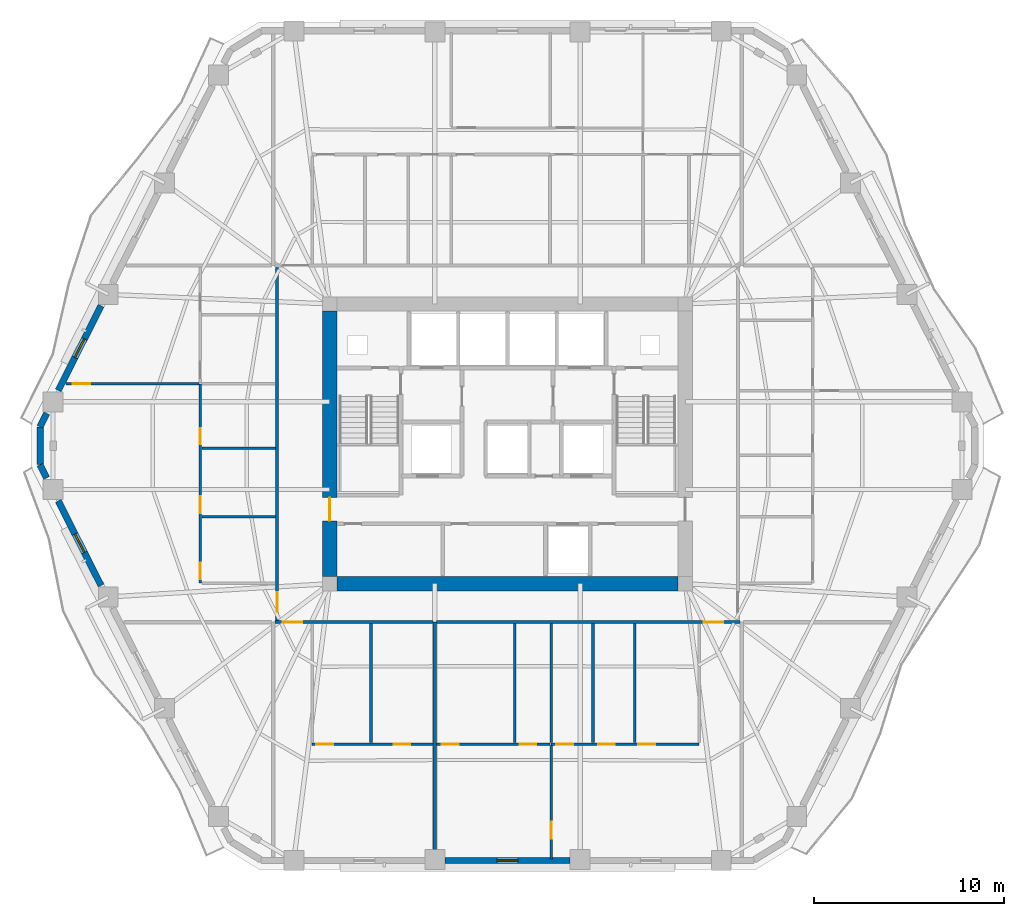
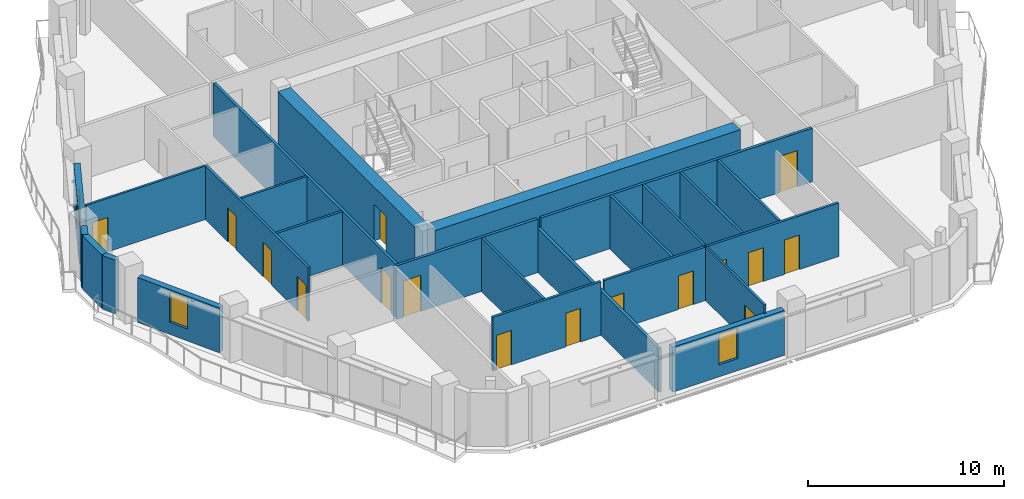
# One storey, part 4 of 12: 25 walls, 16 doors, 3 windows, 19 openings.
"""IFC4 building model written with IfcOpenShell, lengths in metres."""

from ifc_helpers import new_model, si_unit, direction, frame, frame_2d, origin, place, context, subcontext, project, spatial, rectangle, extrude, material, layer, layer_set, type_object, element, fill, save


model = new_model("IFC4")

# Units and contexts
model_context = context("Model", 3, precision=1e-05, world=origin(), true_north=direction((0.0, 1.0)))
body_context = subcontext(model_context, "Body", "Model", "MODEL_VIEW")
ifc_project = project(units=[si_unit("LENGTHUNIT", "METRE"), si_unit("AREAUNIT", "SQUARE_METRE"), si_unit("VOLUMEUNIT", "CUBIC_METRE"), si_unit("PLANEANGLEUNIT", "RADIAN"), si_unit("MASSUNIT", "GRAM", prefix="KILO")], contexts=[model_context])

# Site, building, storey
site_placement = place(None, origin())
site = spatial("IfcSite", under=ifc_project, at=site_placement, CompositionType="ELEMENT")
building_placement = place(site_placement, origin())
building = spatial("IfcBuilding", under=site, at=building_placement, Name="Cinnabar Lancet Tower", CompositionType="ELEMENT")
storey_placement = place(building_placement, frame((0.0, 0.0, 126.800048828125)))
storey = spatial("IfcBuildingStorey", under=building, at=storey_placement, Name="L33", CompositionType="ELEMENT", Elevation=126.800048828125)

# Wall, opening, door
ifc_material_1 = material(Name="Acoustic twin-stud gypsum partition", Category="gypsum")
ifc_layer_1 = layer(ifc_material_1, 0.159912109375)
ifc_layer_set_1 = layer_set([ifc_layer_1], Name="Acoustic twin-stud gypsum partition")
wall_type_1 = type_object("IfcWallType", Name="ARC-WL-CORR-160", PredefinedType="PARTITIONING", material=ifc_layer_set_1)
wall_1_placement = place(storey_placement, frame((20.14501953125, 16.5, 0.0), z_axis=(0.0, 0.0, 1.0), x_axis=(1.0, 0.0, 0.0)))
wall_1 = element("IfcWall", 1, at=wall_1_placement, inside=storey, type_object=wall_type_1, Name="L33 Unit S01 Corridor Wall", PredefinedType="PARTITIONING", context=body_context, shape_type="SweptSolid", body=[
    extrude(rectangle(XDim=8.327880859375, YDim=0.159912109375, at=frame_2d((4.1640625, 0.0))), origin(), (0.0, 0.0, 1.0), 3.33984375),
])
opening_1_placement = place(wall_1_placement, frame((0.405029296875, 0.0, 0.0)))
opening_1 = element("IfcOpeningElement", 2, at=opening_1_placement, cuts=wall_1, Name="Opening UD-01", PredefinedType="OPENING", context=body_context, shape_type="SweptSolid", body=[
    extrude(rectangle(XDim=1.02001953125, YDim=2.25, at=frame_2d((0.510009765625, 1.125))), frame((0.0, 0.08984375, 0.0), z_axis=(0.0, -1.0, 0.0), x_axis=(1.0, 0.0, 0.0)), (0.0, 0.0, 1.0), 0.179931640625),
])
ifc_material_2 = material(Name="Solid timber fire-rated apartment entrance door", Category="wood")
door_type_1 = type_object("IfcDoorType", Name="ARC-DR-UNIT", OperationType="NOTDEFINED", PredefinedType="DOOR", material=ifc_material_2)
door_1_placement = place(opening_1_placement, origin())
door_1 = element("IfcDoor", 3, at=door_1_placement, inside=storey, type_object=door_type_1, Name="DR-L33-S01-ENT", OperationType="SINGLE_SWING_RIGHT", OverallHeight=2.25, OverallWidth=1.02001953125, PredefinedType="DOOR", context=body_context, shape_type="SweptSolid", body=[
    extrude(rectangle(XDim=1.02001953125, YDim=2.25, at=frame_2d((0.510009765625, 1.125))), frame((0.0, 0.02490234375, 0.0), z_axis=(0.0, -1.0, 0.0), x_axis=(1.0, 0.0, 0.0)), (0.0, 0.0, 1.0), 0.050048828125),
])
fill(opening_1, door_1)

wall_2_placement = place(storey_placement, frame((28.6630859375, 16.5, 0.0), z_axis=(0.0, 0.0, 1.0), x_axis=(1.0, 0.0, 0.0)))
wall_2 = element("IfcWall", 4, at=wall_2_placement, inside=storey, type_object=wall_type_1, Name="L33 Unit S02 Corridor Wall", PredefinedType="PARTITIONING", context=body_context, shape_type="SweptSolid", body=[
    extrude(rectangle(XDim=15.991943359375, YDim=0.159912109375, at=frame_2d((7.99609375, 0.0))), origin(), (0.0, 0.0, 1.0), 3.33984375),
])
opening_2_placement = place(wall_2_placement, frame((14.0869140625, 0.0, 0.0)))
opening_2 = element("IfcOpeningElement", 5, at=opening_2_placement, cuts=wall_2, Name="Opening UD-01", PredefinedType="OPENING", context=body_context, shape_type="SweptSolid", body=[
    extrude(rectangle(XDim=1.02001953125, YDim=2.25, at=frame_2d((0.510009765625, 1.125))), frame((0.0, 0.08984375, 0.0), z_axis=(0.0, -1.0, 0.0), x_axis=(1.0, 0.0, 0.0)), (0.0, 0.0, 1.0), 0.179931640625),
])
door_2_placement = place(opening_2_placement, origin())
door_2 = element("IfcDoor", 6, at=door_2_placement, inside=storey, type_object=door_type_1, Name="DR-L33-S02-ENT", OperationType="SINGLE_SWING_LEFT", OverallHeight=2.25, OverallWidth=1.02001953125, PredefinedType="DOOR", context=body_context, shape_type="SweptSolid", body=[
    extrude(rectangle(XDim=1.02001953125, YDim=2.25, at=frame_2d((0.510009765625, 1.125))), frame((0.0, 0.02490234375, 0.0), z_axis=(0.0, -1.0, 0.0), x_axis=(1.0, 0.0, 0.0)), (0.0, 0.0, 1.0), 0.050048828125),
])
fill(opening_2, door_2)

wall_3_placement = place(storey_placement, frame((20.25, 16.594970703125, 0.0), z_axis=(0.0, 0.0, 1.0), x_axis=(0.0, 1.0, 0.0)))
wall_3 = element("IfcWall", 7, at=wall_3_placement, inside=storey, type_object=wall_type_1, Name="UW-L33-W01-COR", PredefinedType="PARTITIONING", context=body_context, shape_type="SweptSolid", body=[
    extrude(rectangle(XDim=18.610107421875, YDim=0.159912109375, at=frame_2d((9.30517578125, 0.0))), origin(), (0.0, 0.0, 1.0), 3.33984375),
])
opening_3_placement = place(wall_3_placement, frame((0.449951171875, 0.0, 0.0)))
opening_3 = element("IfcOpeningElement", 8, at=opening_3_placement, cuts=wall_3, Name="Opening UD-01", PredefinedType="OPENING", context=body_context, shape_type="SweptSolid", body=[
    extrude(rectangle(XDim=1.02001953125, YDim=2.25, at=frame_2d((0.510009765625, 1.125))), frame((0.0, 0.08984375, 0.0), z_axis=(0.0, -1.0, 0.0), x_axis=(1.0, 0.0, 0.0)), (0.0, 0.0, 1.0), 0.179931640625),
])
door_3_placement = place(opening_3_placement, origin())
door_3 = element("IfcDoor", 9, at=door_3_placement, inside=storey, type_object=door_type_1, Name="DR-L33-W01-ENT", OperationType="SINGLE_SWING_RIGHT", OverallHeight=2.25, OverallWidth=1.02001953125, PredefinedType="DOOR", context=body_context, shape_type="SweptSolid", body=[
    extrude(rectangle(XDim=1.02001953125, YDim=2.25, at=frame_2d((0.510009765625, 1.125))), frame((0.0, 0.02490234375, 0.0), z_axis=(0.0, -1.0, 0.0), x_axis=(1.0, 0.0, 0.0)), (0.0, 0.0, 1.0), 0.050048828125),
])
fill(opening_3, door_3)

# Wall
ifc_material_3 = material(Name="Fire-rated twin-frame acoustic drywall", Category="gypsum")
ifc_layer_2 = layer(ifc_material_3, 0.179931640625)
ifc_layer_set_2 = layer_set([ifc_layer_2], Name="Fire-rated twin-frame acoustic drywall")
wall_type_2 = type_object("IfcWallType", Name="ARC-WL-PARTY-180", PredefinedType="PARTITIONING", material=ifc_layer_set_2)
wall_4_placement = place(storey_placement, frame((28.568115234375, 4.10498046875, 0.0), z_axis=(0.0, 0.0, 1.0), x_axis=(0.0, 1.0, 0.0)))
element("IfcWall", 10, at=wall_4_placement, inside=storey, type_object=wall_type_2, Name="PW-L33-SPTY-286", PredefinedType="PARTITIONING", context=body_context, shape_type="SweptSolid", body=[
    extrude(rectangle(XDim=12.39501953125, YDim=0.179931640625, at=frame_2d((6.197509765625, 0.0))), origin(), (0.0, 0.0, 1.0), 2.721923828125),
])

# Wall, opening, door
ifc_material_4 = material(Name="Gypsum plasterboard stud partition", Category="gypsum")
ifc_layer_3 = layer(ifc_material_4, 0.125)
ifc_layer_set_3 = layer_set([ifc_layer_3], Name="Gypsum plasterboard stud partition")
wall_type_3 = type_object("IfcWallType", Name="ARC-WL-UNIT-125", PredefinedType="PARTITIONING", material=ifc_layer_set_3)
wall_5_placement = place(storey_placement, frame((34.701904296875, 4.014892578125, 0.0), z_axis=(0.0, 0.0, 1.0), x_axis=(0.0, 1.0, 0.0)))
wall_5 = element("IfcWall", 11, at=wall_5_placement, inside=storey, type_object=wall_type_3, Name="UW-L33-S02-MBW", PredefinedType="PARTITIONING", context=body_context, shape_type="SweptSolid", body=[
    extrude(rectangle(XDim=5.965087890625, YDim=0.125, at=frame_2d((2.982421875, 0.0))), origin(), (0.0, 0.0, 1.0), 3.33984375),
])
opening_4_placement = place(wall_5_placement, frame((1.050048828125, 0.0, 0.0)))
opening_4 = element("IfcOpeningElement", 12, at=opening_4_placement, cuts=wall_5, Name="Opening RD-01", PredefinedType="OPENING", context=body_context, shape_type="SweptSolid", body=[
    extrude(rectangle(XDim=0.919921875, YDim=2.14990234375, at=frame_2d((0.4599609375, 1.074951171875))), frame((0.0, 0.072509765625, 0.0), z_axis=(0.0, -1.0, 0.0), x_axis=(1.0, 0.0, 0.0)), (0.0, 0.0, 1.0), 0.14501953125),
])
ifc_material_5 = material(Name="Engineered timber bedroom door", Category="wood")
door_type_2 = type_object("IfcDoorType", Name="ARC-DR-ROOM", OperationType="NOTDEFINED", PredefinedType="DOOR", material=ifc_material_5)
door_4_placement = place(opening_4_placement, origin())
door_4 = element("IfcDoor", 13, at=door_4_placement, inside=storey, type_object=door_type_2, Name="DR-L33-S02-MBD", OperationType="SINGLE_SWING_RIGHT", OverallHeight=2.14990234375, OverallWidth=0.919921875, PredefinedType="DOOR", context=body_context, shape_type="SweptSolid", body=[
    extrude(rectangle(XDim=0.919921875, YDim=2.14990234375, at=frame_2d((0.4599609375, 1.074951171875))), frame((0.0, 0.02490234375, 0.0), z_axis=(0.0, -1.0, 0.0), x_axis=(1.0, 0.0, 0.0)), (0.0, 0.0, 1.0), 0.050048828125),
])
fill(opening_4, door_4)

wall_6_placement = place(storey_placement, frame((9.115966796875, 29.06396484375, 0.0), z_axis=(0.0, 0.0, 1.0), x_axis=(1.0, 0.0, 0.0)))
wall_6 = element("IfcWall", 14, at=wall_6_placement, inside=storey, type_object=wall_type_3, Name="UW-L33-W01-MBN", PredefinedType="PARTITIONING", context=body_context, shape_type="SweptSolid", body=[
    extrude(rectangle(XDim=7.009033203125, YDim=0.125, at=frame_2d((3.50439453125, 0.0))), origin(), (0.0, 0.0, 1.0), 3.33984375),
])
opening_5_placement = place(wall_6_placement, frame((0.35009765625, 0.0, 0.0)))
opening_5 = element("IfcOpeningElement", 15, at=opening_5_placement, cuts=wall_6, Name="Opening RD-01", PredefinedType="OPENING", context=body_context, shape_type="SweptSolid", body=[
    extrude(rectangle(XDim=0.919921875, YDim=2.14990234375, at=frame_2d((0.4599609375, 1.074951171875))), frame((0.0, 0.072509765625, 0.0), z_axis=(0.0, -1.0, 0.0), x_axis=(1.0, 0.0, 0.0)), (0.0, 0.0, 1.0), 0.14501953125),
])
door_5_placement = place(opening_5_placement, origin())
door_5 = element("IfcDoor", 16, at=door_5_placement, inside=storey, type_object=door_type_2, Name="DR-L33-W01-MBD", OperationType="SINGLE_SWING_RIGHT", OverallHeight=2.14990234375, OverallWidth=0.919921875, PredefinedType="DOOR", context=body_context, shape_type="SweptSolid", body=[
    extrude(rectangle(XDim=0.919921875, YDim=2.14990234375, at=frame_2d((0.4599609375, 1.074951171875))), frame((0.0, 0.02490234375, 0.0), z_axis=(0.0, -1.0, 0.0), x_axis=(1.0, 0.0, 0.0)), (0.0, 0.0, 1.0), 0.050048828125),
])
fill(opening_5, door_5)

# Wall
wall_7_placement = place(storey_placement, frame((16.284912109375, 25.6640625, 0.0), z_axis=(0.0, 0.0, 1.0), x_axis=(1.0, 0.0, 0.0)))
element("IfcWall", 17, at=wall_7_placement, inside=storey, type_object=wall_type_3, Name="UW-L33-W01-UDV", PredefinedType="PARTITIONING", context=body_context, shape_type="SweptSolid", body=[
    extrude(rectangle(XDim=3.880126953125, YDim=0.125, at=frame_2d((1.93994140625, 0.0))), origin(), (0.0, 0.0, 1.0), 3.33984375),
])

# Wall, openings, doors
ifc_material_6 = material(Name="Moisture-resistant cement-board plumbing wall", Category="masonry")
ifc_layer_4 = layer(ifc_material_6, 0.139892578125)
ifc_layer_set_4 = layer_set([ifc_layer_4], Name="Moisture-resistant cement-board plumbing wall")
wall_type_4 = type_object("IfcWallType", Name="ARC-WL-WET-140", PredefinedType="PLUMBINGWALL", material=ifc_layer_set_4)
wall_8_placement = place(storey_placement, frame((22.10009765625, 10.054931640625, 0.0), z_axis=(0.0, 0.0, 1.0), x_axis=(1.0, 0.0, 0.0)))
wall_8 = element("IfcWall", 18, at=wall_8_placement, inside=storey, type_object=wall_type_4, Name="UW-L33-S01-SPL", PredefinedType="PLUMBINGWALL", context=body_context, shape_type="SweptSolid", body=[
    extrude(rectangle(XDim=6.372802734375, YDim=0.139892578125, at=frame_2d((3.1865234375, 0.0))), origin(), (0.0, 0.0, 1.0), 3.33984375),
])
opening_6_placement = place(wall_8_placement, frame((4.31396484375, 0.0, 0.0)))
opening_6 = element("IfcOpeningElement", 19, at=opening_6_placement, cuts=wall_8, Name="Opening BD-01", PredefinedType="OPENING", context=body_context, shape_type="SweptSolid", body=[
    extrude(rectangle(XDim=0.860107421875, YDim=2.10009765625, at=frame_2d((0.43017578125, 1.050048828125))), frame((0.0, 0.079833984375, 0.0), z_axis=(0.0, -1.0, 0.0), x_axis=(1.0, 0.0, 0.0)), (0.0, 0.0, 1.0), 0.159912109375),
])
opening_7_placement = place(wall_8_placement, frame((0.219970703125, 0.0, 0.0)))
opening_7 = element("IfcOpeningElement", 20, at=opening_7_placement, cuts=wall_8, Name="Opening RD-02", PredefinedType="OPENING", context=body_context, shape_type="SweptSolid", body=[
    extrude(rectangle(XDim=0.8798828125, YDim=2.14990234375, at=frame_2d((0.43994140625, 1.074951171875))), frame((0.0, 0.079833984375, 0.0), z_axis=(0.0, -1.0, 0.0), x_axis=(1.0, 0.0, 0.0)), (0.0, 0.0, 1.0), 0.159912109375),
])
ifc_material_7 = material(Name="Moisture-resistant timber bathroom door", Category="wood")
door_type_3 = type_object("IfcDoorType", Name="ARC-DR-BATH", OperationType="NOTDEFINED", PredefinedType="DOOR", material=ifc_material_7)
door_6_placement = place(opening_6_placement, origin())
door_6 = element("IfcDoor", 21, at=door_6_placement, inside=storey, type_object=door_type_3, Name="DR-L33-S01-BTH", OperationType="SINGLE_SWING_RIGHT", OverallHeight=2.10009765625, OverallWidth=0.860107421875, PredefinedType="DOOR", context=body_context, shape_type="SweptSolid", body=[
    extrude(rectangle(XDim=0.860107421875, YDim=2.10009765625, at=frame_2d((0.43017578125, 1.050048828125))), frame((0.0, 0.02490234375, 0.0), z_axis=(0.0, -1.0, 0.0), x_axis=(1.0, 0.0, 0.0)), (0.0, 0.0, 1.0), 0.050048828125),
])
fill(opening_6, door_6)
ifc_material_8 = material(Name="Engineered timber study door", Category="wood")
door_type_4 = type_object("IfcDoorType", Name="ARC-DR-STUDY", OperationType="NOTDEFINED", PredefinedType="DOOR", material=ifc_material_8)
door_7_placement = place(opening_7_placement, origin())
door_7 = element("IfcDoor", 22, at=door_7_placement, inside=storey, type_object=door_type_4, Name="DR-L33-S01-KIT", OperationType="SINGLE_SWING_LEFT", OverallHeight=2.14990234375, OverallWidth=0.8798828125, PredefinedType="DOOR", context=body_context, shape_type="SweptSolid", body=[
    extrude(rectangle(XDim=0.8798828125, YDim=2.14990234375, at=frame_2d((0.43994140625, 1.074951171875))), frame((0.0, 0.02490234375, 0.0), z_axis=(0.0, -1.0, 0.0), x_axis=(1.0, 0.0, 0.0)), (0.0, 0.0, 1.0), 0.050048828125),
])
fill(opening_7, door_7)

# Wall
wall_9_placement = place(storey_placement, frame((25.205078125, 10.159912109375, 0.0), z_axis=(0.0, 0.0, 1.0), x_axis=(0.0, 1.0, 0.0)))
element("IfcWall", 23, at=wall_9_placement, inside=storey, type_object=wall_type_4, Name="UW-L33-S01-KDV", PredefinedType="PLUMBINGWALL", context=body_context, shape_type="SweptSolid", body=[
    extrude(rectangle(XDim=6.255126953125, YDim=0.139892578125, at=frame_2d((3.12744140625, 0.0))), origin(), (0.0, 0.0, 1.0), 3.33984375),
])

# Wall, openings, doors
wall_10_placement = place(storey_placement, frame((34.701904296875, 10.054931640625, 0.0), z_axis=(0.0, 0.0, 1.0), x_axis=(1.0, 0.0, 0.0)))
wall_10 = element("IfcWall", 24, at=wall_10_placement, inside=storey, type_object=wall_type_4, Name="UW-L33-S02-SPL", PredefinedType="PLUMBINGWALL", context=body_context, shape_type="SweptSolid", body=[
    extrude(rectangle(XDim=7.798095703125, YDim=0.139892578125, at=frame_2d((3.89892578125, 0.0))), origin(), (0.0, 0.0, 1.0), 3.33984375),
])
opening_8_placement = place(wall_10_placement, frame((0.280029296875, 0.0, 0.0)))
opening_8 = element("IfcOpeningElement", 25, at=opening_8_placement, cuts=wall_10, Name="Opening RD-02", PredefinedType="OPENING", context=body_context, shape_type="SweptSolid", body=[
    extrude(rectangle(XDim=0.8798828125, YDim=2.14990234375, at=frame_2d((0.43994140625, 1.074951171875))), frame((0.0, 0.079833984375, 0.0), z_axis=(0.0, -1.0, 0.0), x_axis=(1.0, 0.0, 0.0)), (0.0, 0.0, 1.0), 0.159912109375),
])
opening_9_placement = place(wall_10_placement, frame((2.48193359375, 0.0, 0.0)))
opening_9 = element("IfcOpeningElement", 26, at=opening_9_placement, cuts=wall_10, Name="Opening BD-01", PredefinedType="OPENING", context=body_context, shape_type="SweptSolid", body=[
    extrude(rectangle(XDim=0.860107421875, YDim=2.10009765625, at=frame_2d((0.43017578125, 1.050048828125))), frame((0.0, 0.079833984375, 0.0), z_axis=(0.0, -1.0, 0.0), x_axis=(1.0, 0.0, 0.0)), (0.0, 0.0, 1.0), 0.159912109375),
])
opening_10_placement = place(wall_10_placement, frame((4.597900390625, 0.0, 0.0)))
opening_10 = element("IfcOpeningElement", 27, at=opening_10_placement, cuts=wall_10, Name="Opening RD-02", PredefinedType="OPENING", context=body_context, shape_type="SweptSolid", body=[
    extrude(rectangle(XDim=0.8798828125, YDim=2.14990234375, at=frame_2d((0.43994140625, 1.074951171875))), frame((0.0, 0.079833984375, 0.0), z_axis=(0.0, -1.0, 0.0), x_axis=(1.0, 0.0, 0.0)), (0.0, 0.0, 1.0), 0.159912109375),
])
door_8_placement = place(opening_9_placement, origin())
door_8 = element("IfcDoor", 28, at=door_8_placement, inside=storey, type_object=door_type_3, Name="DR-L33-S02-BTH", OperationType="SINGLE_SWING_LEFT", OverallHeight=2.10009765625, OverallWidth=0.860107421875, PredefinedType="DOOR", context=body_context, shape_type="SweptSolid", body=[
    extrude(rectangle(XDim=0.860107421875, YDim=2.10009765625, at=frame_2d((0.43017578125, 1.050048828125))), frame((0.0, 0.02490234375, 0.0), z_axis=(0.0, -1.0, 0.0), x_axis=(1.0, 0.0, 0.0)), (0.0, 0.0, 1.0), 0.050048828125),
])
fill(opening_9, door_8)
door_9_placement = place(opening_8_placement, origin())
door_9 = element("IfcDoor", 29, at=door_9_placement, inside=storey, type_object=door_type_4, Name="DR-L33-S02-BTH-WDR", OperationType="SINGLE_SWING_RIGHT", OverallHeight=2.14990234375, OverallWidth=0.8798828125, PredefinedType="DOOR", context=body_context, shape_type="SweptSolid", body=[
    extrude(rectangle(XDim=0.8798828125, YDim=2.14990234375, at=frame_2d((0.43994140625, 1.074951171875))), frame((0.0, 0.02490234375, 0.0), z_axis=(0.0, -1.0, 0.0), x_axis=(1.0, 0.0, 0.0)), (0.0, 0.0, 1.0), 0.050048828125),
])
fill(opening_8, door_9)
door_10_placement = place(opening_10_placement, origin())
door_10 = element("IfcDoor", 30, at=door_10_placement, inside=storey, type_object=door_type_4, Name="DR-L33-S02-KIT", OperationType="SINGLE_SWING_LEFT", OverallHeight=2.14990234375, OverallWidth=0.8798828125, PredefinedType="DOOR", context=body_context, shape_type="SweptSolid", body=[
    extrude(rectangle(XDim=0.8798828125, YDim=2.14990234375, at=frame_2d((0.43994140625, 1.074951171875))), frame((0.0, 0.02490234375, 0.0), z_axis=(0.0, -1.0, 0.0), x_axis=(1.0, 0.0, 0.0)), (0.0, 0.0, 1.0), 0.050048828125),
])
fill(opening_10, door_10)

wall_11_placement = place(storey_placement, frame((28.6630859375, 10.054931640625, 0.0), z_axis=(0.0, 0.0, 1.0), x_axis=(1.0, 0.0, 0.0)))
wall_11 = element("IfcWall", 31, at=wall_11_placement, inside=storey, type_object=wall_type_4, Name="UW-L33-S02-SPM", PredefinedType="PLUMBINGWALL", context=body_context, shape_type="SweptSolid", body=[
    extrude(rectangle(XDim=5.9638671875, YDim=0.139892578125, at=frame_2d((2.98193359375, 0.0))), origin(), (0.0, 0.0, 1.0), 3.33984375),
])
opening_11_placement = place(wall_11_placement, frame((0.280029296875, 0.0, 0.0)))
opening_11 = element("IfcOpeningElement", 32, at=opening_11_placement, cuts=wall_11, Name="Opening RD-02", PredefinedType="OPENING", context=body_context, shape_type="SweptSolid", body=[
    extrude(rectangle(XDim=0.8798828125, YDim=2.14990234375, at=frame_2d((0.43994140625, 1.074951171875))), frame((0.0, 0.079833984375, 0.0), z_axis=(0.0, -1.0, 0.0), x_axis=(1.0, 0.0, 0.0)), (0.0, 0.0, 1.0), 0.159912109375),
])
opening_12_placement = place(wall_11_placement, frame((4.39404296875, 0.0, 0.0)))
opening_12 = element("IfcOpeningElement", 33, at=opening_12_placement, cuts=wall_11, Name="Opening BD-01", PredefinedType="OPENING", context=body_context, shape_type="SweptSolid", body=[
    extrude(rectangle(XDim=0.860107421875, YDim=2.10009765625, at=frame_2d((0.43017578125, 1.050048828125))), frame((0.0, 0.079833984375, 0.0), z_axis=(0.0, -1.0, 0.0), x_axis=(1.0, 0.0, 0.0)), (0.0, 0.0, 1.0), 0.159912109375),
])
door_11_placement = place(opening_12_placement, origin())
door_11 = element("IfcDoor", 34, at=door_11_placement, inside=storey, type_object=door_type_3, Name="DR-L33-S02-ENS", OperationType="SINGLE_SWING_RIGHT", OverallHeight=2.10009765625, OverallWidth=0.860107421875, PredefinedType="DOOR", context=body_context, shape_type="SweptSolid", body=[
    extrude(rectangle(XDim=0.860107421875, YDim=2.10009765625, at=frame_2d((0.43017578125, 1.050048828125))), frame((0.0, 0.02490234375, 0.0), z_axis=(0.0, -1.0, 0.0), x_axis=(1.0, 0.0, 0.0)), (0.0, 0.0, 1.0), 0.050048828125),
])
fill(opening_12, door_11)
door_12_placement = place(opening_11_placement, origin())
door_12 = element("IfcDoor", 35, at=door_12_placement, inside=storey, type_object=door_type_4, Name="DR-L33-S02-ENS-WDR", OperationType="SINGLE_SWING_LEFT", OverallHeight=2.14990234375, OverallWidth=0.8798828125, PredefinedType="DOOR", context=body_context, shape_type="SweptSolid", body=[
    extrude(rectangle(XDim=0.8798828125, YDim=2.14990234375, at=frame_2d((0.43994140625, 1.074951171875))), frame((0.0, 0.02490234375, 0.0), z_axis=(0.0, -1.0, 0.0), x_axis=(1.0, 0.0, 0.0)), (0.0, 0.0, 1.0), 0.050048828125),
])
fill(opening_11, door_12)

# Walls
for number, where, z_axis, x_axis, name in (
    (36, (39.10009765625, 10.159912109375, 0.0), (0.0, 0.0, 1.0), (0.0, 1.0, 0.0), "UW-L33-S02-KBD"),
    (37, (34.701904296875, 10.159912109375, 0.0), (0.0, 0.0, 1.0), (0.0, 1.0, 0.0), "UW-L33-S02-ENSW"),
):
    element("IfcWall", number, at=place(storey_placement, frame(where, z_axis=z_axis, x_axis=x_axis)), inside=storey, type_object=wall_type_4, Name=name, PredefinedType="PLUMBINGWALL", context=body_context, shape_type="SweptSolid", body=[
        extrude(rectangle(XDim=6.255126953125, YDim=0.139892578125, at=frame_2d((3.12744140625, 0.0))), origin(), (0.0, 0.0, 1.0), 3.33984375),
    ])
for number, where, z_axis, x_axis, name in (
    (38, (36.904052734375, 10.139892578125, 0.0), (0.0, 0.0, 1.0), (0.0, 1.0, 0.0), "UW-L33-S02-BTH-WDV"),
    (39, (32.777099609375, 10.139892578125, 0.0), (0.0, 0.0, 1.0), (0.0, 1.0, 0.0), "UW-L33-S02-ENS-WDV"),
):
    element("IfcWall", number, at=place(storey_placement, frame(where, z_axis=z_axis, x_axis=x_axis)), inside=storey, type_object=wall_type_4, Name=name, PredefinedType="PLUMBINGWALL", context=body_context, shape_type="SweptSolid", body=[
        extrude(rectangle(XDim=6.275146484375, YDim=0.139892578125, at=frame_2d((3.1376953125, 0.0))), origin(), (0.0, 0.0, 1.0), 3.33984375),
    ])

# Wall, openings, doors
wall_12_placement = place(storey_placement, frame((16.199951171875, 18.550048828125, 0.0), z_axis=(0.0, 0.0, 1.0), x_axis=(0.0, 1.0, 0.0)))
wall_12 = element("IfcWall", 40, at=wall_12_placement, inside=storey, type_object=wall_type_4, Name="UW-L33-W01-SPL", PredefinedType="PLUMBINGWALL", context=body_context, shape_type="SweptSolid", body=[
    extrude(rectangle(XDim=10.513916015625, YDim=0.139892578125, at=frame_2d((5.2568359375, 0.0))), origin(), (0.0, 0.0, 1.0), 3.33984375),
])
opening_13_placement = place(wall_12_placement, frame((0.199951171875, 0.0, 0.0)))
opening_13 = element("IfcOpeningElement", 41, at=opening_13_placement, cuts=wall_12, Name="Opening RD-02", PredefinedType="OPENING", context=body_context, shape_type="SweptSolid", body=[
    extrude(rectangle(XDim=0.8798828125, YDim=2.14990234375, at=frame_2d((0.43994140625, 1.074951171875))), frame((0.0, 0.079833984375, 0.0), z_axis=(0.0, -1.0, 0.0), x_axis=(1.0, 0.0, 0.0)), (0.0, 0.0, 1.0), 0.159912109375),
])
opening_14_placement = place(wall_12_placement, frame((3.699951171875, 0.0, 0.0)))
opening_14 = element("IfcOpeningElement", 42, at=opening_14_placement, cuts=wall_12, Name="Opening RD-02", PredefinedType="OPENING", context=body_context, shape_type="SweptSolid", body=[
    extrude(rectangle(XDim=0.8798828125, YDim=2.14990234375, at=frame_2d((0.43994140625, 1.074951171875))), frame((0.0, 0.079833984375, 0.0), z_axis=(0.0, -1.0, 0.0), x_axis=(1.0, 0.0, 0.0)), (0.0, 0.0, 1.0), 0.159912109375),
])
opening_15_placement = place(wall_12_placement, frame((7.31396484375, 0.0, 0.0)))
opening_15 = element("IfcOpeningElement", 43, at=opening_15_placement, cuts=wall_12, Name="Opening BD-01", PredefinedType="OPENING", context=body_context, shape_type="SweptSolid", body=[
    extrude(rectangle(XDim=0.860107421875, YDim=2.10009765625, at=frame_2d((0.43017578125, 1.050048828125))), frame((0.0, 0.079833984375, 0.0), z_axis=(0.0, -1.0, 0.0), x_axis=(1.0, 0.0, 0.0)), (0.0, 0.0, 1.0), 0.159912109375),
])
door_13_placement = place(opening_15_placement, origin())
door_13 = element("IfcDoor", 44, at=door_13_placement, inside=storey, type_object=door_type_3, Name="DR-L33-W01-BTH", OperationType="SINGLE_SWING_LEFT", OverallHeight=2.10009765625, OverallWidth=0.860107421875, PredefinedType="DOOR", context=body_context, shape_type="SweptSolid", body=[
    extrude(rectangle(XDim=0.860107421875, YDim=2.10009765625, at=frame_2d((0.43017578125, 1.050048828125))), frame((0.0, 0.02490234375, 0.0), z_axis=(0.0, -1.0, 0.0), x_axis=(1.0, 0.0, 0.0)), (0.0, 0.0, 1.0), 0.050048828125),
])
fill(opening_15, door_13)
door_14_placement = place(opening_13_placement, origin())
door_14 = element("IfcDoor", 45, at=door_14_placement, inside=storey, type_object=door_type_4, Name="DR-L33-W01-KIT", OperationType="SINGLE_SWING_LEFT", OverallHeight=2.14990234375, OverallWidth=0.8798828125, PredefinedType="DOOR", context=body_context, shape_type="SweptSolid", body=[
    extrude(rectangle(XDim=0.8798828125, YDim=2.14990234375, at=frame_2d((0.43994140625, 1.074951171875))), frame((0.0, 0.02490234375, 0.0), z_axis=(0.0, -1.0, 0.0), x_axis=(1.0, 0.0, 0.0)), (0.0, 0.0, 1.0), 0.050048828125),
])
fill(opening_13, door_14)
door_15_placement = place(opening_14_placement, origin())
door_15 = element("IfcDoor", 46, at=door_15_placement, inside=storey, type_object=door_type_4, Name="DR-L33-W01-UTL", OperationType="SINGLE_SWING_RIGHT", OverallHeight=2.14990234375, OverallWidth=0.8798828125, PredefinedType="DOOR", context=body_context, shape_type="SweptSolid", body=[
    extrude(rectangle(XDim=0.8798828125, YDim=2.14990234375, at=frame_2d((0.43994140625, 1.074951171875))), frame((0.0, 0.02490234375, 0.0), z_axis=(0.0, -1.0, 0.0), x_axis=(1.0, 0.0, 0.0)), (0.0, 0.0, 1.0), 0.050048828125),
])
fill(opening_14, door_15)

# Walls
wall_13_placement = place(storey_placement, frame((16.284912109375, 22.050048828125, 0.0), z_axis=(0.0, 0.0, 1.0), x_axis=(1.0, 0.0, 0.0)))
element("IfcWall", 47, at=wall_13_placement, inside=storey, type_object=wall_type_4, Name="UW-L33-W01-KDV", PredefinedType="PLUMBINGWALL", context=body_context, shape_type="SweptSolid", body=[
    extrude(rectangle(XDim=3.880126953125, YDim=0.139892578125, at=frame_2d((1.93994140625, 0.0))), origin(), (0.0, 0.0, 1.0), 3.33984375),
])
ifc_material_9 = material(Name="Cinnabar red clay brick", Category="masonry")
ifc_layer_5 = layer(ifc_material_9, 0.340087890625)
ifc_layer_set_5 = layer_set([ifc_layer_5], Name="Cinnabar red clay brick")
wall_type_5 = type_object("IfcWallType", Name="ENV-WL-BRK-RED-340", PredefinedType="STANDARD", material=ifc_layer_set_5)
wall_14_placement = place(storey_placement, frame((7.76708984375, 26.797119140625, 0.0), z_axis=(0.0, 0.0, 1.0), x_axis=(0.0, -1.0, 0.0)))
element("IfcWall", 48, at=wall_14_placement, inside=storey, type_object=wall_type_5, Name="L33 Chamfered Corner Brick Pier 6.1", PredefinedType="STANDARD", context=body_context, shape_type="SweptSolid", body=[
    extrude(rectangle(XDim=1.994140625, YDim=0.340087890625, at=frame_2d((0.9970703125, 0.0))), origin(), (0.0, 0.0, 1.0), 3.33984375),
])

# Wall, opening, window
wall_15_placement = place(storey_placement, frame((29.096923828125, 3.929931640625, 0.0), z_axis=(0.0, 0.0, 1.0), x_axis=(1.0, 0.0, 0.0)))
wall_15 = element("IfcWall", 49, at=wall_15_placement, inside=storey, type_object=wall_type_5, Name="L33 Face 1 Masonry Bay Wall 3", PredefinedType="STANDARD", context=body_context, shape_type="SweptSolid", body=[
    extrude(rectangle(XDim=6.60595703125, YDim=0.340087890625, at=frame_2d((3.302978515625, 0.0))), origin(), (0.0, 0.0, 1.0), 2.796875),
])
opening_16_placement = place(wall_15_placement, frame((2.7529296875, 0.0, 0.75)))
opening_16 = element("IfcOpeningElement", 50, at=opening_16_placement, cuts=wall_15, Name="Opening WN-04", PredefinedType="OPENING", context=body_context, shape_type="SweptSolid", body=[
    extrude(rectangle(XDim=1.10009765625, YDim=1.89697265625, at=frame_2d((0.550048828125, 0.948486328125))), frame((0.0, 0.179931640625, 0.0), z_axis=(0.0, -1.0, 0.0), x_axis=(1.0, 0.0, 0.0)), (0.0, 0.0, 1.0), 0.360107421875),
])
ifc_material_10 = material(Name="Thermally broken bronze-anodized aluminium tall lancet window", Category="aluminium")
window_type = type_object("IfcWindowType", Name="ENV-WN-LANCET-1100", PartitioningType="SINGLE_PANEL", PredefinedType="WINDOW", material=ifc_material_10)
window_1_placement = place(opening_16_placement, origin())
window_1 = element("IfcWindow", 51, at=window_1_placement, inside=storey, type_object=window_type, Name="L33 Face 1 Gothic Lancet Window 3", OverallHeight=1.89697265625, OverallWidth=1.10009765625, PartitioningType="SINGLE_PANEL", PredefinedType="WINDOW", context=body_context, shape_type="SweptSolid", body=[
    extrude(rectangle(XDim=1.10009765625, YDim=1.89697265625, at=frame_2d((0.550048828125, 0.948486328125))), frame((0.0, 0.030029296875, 0.0), z_axis=(0.0, -1.0, 0.0), x_axis=(1.0, 0.0, 0.0)), (0.0, 0.0, 1.0), 0.06005859375),
])
fill(opening_16, window_1)

wall_16_placement = place(storey_placement, frame((10.968017578125, 33.172119140625, 0.0), z_axis=(0.0, 0.0, 1.0), x_axis=(-0.451470533039, -0.892286029139, 0.0)))
wall_16 = element("IfcWall", 52, at=wall_16_placement, inside=storey, type_object=wall_type_5, Name="L33 Face 5 Masonry Bay Wall 4", PredefinedType="STANDARD", context=body_context, shape_type="SweptSolid", body=[
    extrude(rectangle(XDim=4.9951171875, YDim=0.340087890625, at=frame_2d((2.49755859375, 0.0))), origin(), (0.0, 0.0, 1.0), 2.796875),
])
opening_17_placement = place(wall_16_placement, frame((1.947021484375, 0.0, 0.75)))
opening_17 = element("IfcOpeningElement", 53, at=opening_17_placement, cuts=wall_16, Name="Opening WN-04", PredefinedType="OPENING", context=body_context, shape_type="SweptSolid", body=[
    extrude(rectangle(XDim=1.10009765625, YDim=1.89697265625, at=frame_2d((0.550048828125, 0.948486328125))), frame((0.0, 0.179931640625, 0.0), z_axis=(0.0, -1.0, 0.0), x_axis=(1.0, 0.0, 0.0)), (0.0, 0.0, 1.0), 0.360107421875),
])
window_2_placement = place(opening_17_placement, origin())
window_2 = element("IfcWindow", 54, at=window_2_placement, inside=storey, type_object=window_type, Name="L33 Face 5 Gothic Lancet Window 4", OverallHeight=1.89697265625, OverallWidth=1.10009765625, PartitioningType="SINGLE_PANEL", PredefinedType="WINDOW", context=body_context, shape_type="SweptSolid", body=[
    extrude(rectangle(XDim=1.10009765625, YDim=1.89697265625, at=frame_2d((0.550048828125, 0.948486328125))), frame((0.0, 0.030029296875, 0.0), z_axis=(0.0, -1.0, 0.0), x_axis=(1.0, 0.0, 0.0)), (0.0, 0.0, 1.0), 0.06005859375),
])
fill(opening_17, window_2)

# Walls
for number, where, z_axis, x_axis, name in (
    (55, (8.10009765625, 27.5029296875, 0.0), (0.0, 0.0, 1.0), (-0.451819324107, -0.89210946546, 0.0), "L33 Face 5 Masonry Bay Wall 5"),
    (56, (7.74609375, 24.7958984375, 0.0), (0.0, 0.0, 1.0), (0.451819324107, -0.89210946546, 0.0), "L33 Face 6 Masonry Bay Wall 1"),
):
    element("IfcWall", number, at=place(storey_placement, frame(where, z_axis=z_axis, x_axis=x_axis)), inside=storey, type_object=wall_type_5, Name=name, PredefinedType="STANDARD", context=body_context, shape_type="SweptSolid", body=[
        extrude(rectangle(XDim=0.783447265625, YDim=0.340087890625, at=frame_2d((0.3916015625, 0.0))), origin(), (0.0, 0.0, 1.0), 3.33984375),
    ])

# Wall, opening, window
wall_17_placement = place(storey_placement, frame((8.712890625, 22.885009765625, 0.0), z_axis=(0.0, 0.0, 1.0), x_axis=(0.451470533039, -0.892286029139, 0.0)))
wall_17 = element("IfcWall", 57, at=wall_17_placement, inside=storey, type_object=wall_type_5, Name="L33 Face 6 Masonry Bay Wall 2", PredefinedType="STANDARD", context=body_context, shape_type="SweptSolid", body=[
    extrude(rectangle(XDim=4.9951171875, YDim=0.340087890625, at=frame_2d((2.49755859375, 0.0))), origin(), (0.0, 0.0, 1.0), 2.796875),
])
opening_18_placement = place(wall_17_placement, frame((1.947021484375, 0.0, 0.75)))
opening_18 = element("IfcOpeningElement", 58, at=opening_18_placement, cuts=wall_17, Name="Opening WN-04", PredefinedType="OPENING", context=body_context, shape_type="SweptSolid", body=[
    extrude(rectangle(XDim=1.10009765625, YDim=1.89697265625, at=frame_2d((0.550048828125, 0.948486328125))), frame((0.0, 0.179931640625, 0.0), z_axis=(0.0, -1.0, 0.0), x_axis=(1.0, 0.0, 0.0)), (0.0, 0.0, 1.0), 0.360107421875),
])
window_3_placement = place(opening_18_placement, origin())
window_3 = element("IfcWindow", 59, at=window_3_placement, inside=storey, type_object=window_type, Name="L33 Face 6 Gothic Lancet Window 2", OverallHeight=1.89697265625, OverallWidth=1.10009765625, PartitioningType="SINGLE_PANEL", PredefinedType="WINDOW", context=body_context, shape_type="SweptSolid", body=[
    extrude(rectangle(XDim=1.10009765625, YDim=1.89697265625, at=frame_2d((0.550048828125, 0.948486328125))), frame((0.0, 0.030029296875, 0.0), z_axis=(0.0, -1.0, 0.0), x_axis=(1.0, 0.0, 0.0)), (0.0, 0.0, 1.0), 0.06005859375),
])
fill(opening_18, window_3)

# Wall
ifc_material_11 = material(Name="Concrete C70/85", Category="concrete")
ifc_layer_6 = layer(ifc_material_11, 0.75)
ifc_layer_set_6 = layer_set([ifc_layer_6], Name="Concrete C70/85")
wall_type_6 = type_object("IfcWallType", Name="STR-WL-CORE-750", PredefinedType="SHEAR", material=ifc_layer_set_6)
wall_18_placement = place(storey_placement, frame((23.39990234375, 18.52490234375, 0.0), z_axis=(0.0, 0.0, 1.0), x_axis=(1.0, 0.0, 0.0)))
element("IfcWall", 60, at=wall_18_placement, inside=storey, type_object=wall_type_6, Name="L33 Core Shear Wall S", PredefinedType="SHEAR", context=body_context, shape_type="SweptSolid", body=[
    extrude(rectangle(XDim=18.0, YDim=0.75, at=frame_2d((9.0, 0.0))), origin(), (0.0, 0.0, 1.0), 3.33984375),
])

# Wall, opening, door
wall_19_placement = place(storey_placement, frame((23.02490234375, 18.89990234375, 0.0), z_axis=(0.0, 0.0, 1.0), x_axis=(0.0, 1.0, 0.0)))
wall_19 = element("IfcWall", 61, at=wall_19_placement, inside=storey, type_object=wall_type_6, Name="L33 Core Shear Wall W", PredefinedType="SHEAR", context=body_context, shape_type="SweptSolid", body=[
    extrude(rectangle(XDim=14.0, YDim=0.75, at=frame_2d((7.0, 0.0))), origin(), (0.0, 0.0, 1.0), 3.33984375),
])
opening_19_placement = place(wall_19_placement, frame((2.93994140625, 0.0, 0.0)))
opening_19 = element("IfcOpeningElement", 62, at=opening_19_placement, cuts=wall_19, Name="Opening FD-02", PredefinedType="OPENING", context=body_context, shape_type="SweptSolid", body=[
    extrude(rectangle(XDim=1.219970703125, YDim=2.25, at=frame_2d((0.60986328125, 1.125))), frame((0.0, 0.385009765625, 0.0), z_axis=(0.0, -1.0, 0.0), x_axis=(1.0, 0.0, 0.0)), (0.0, 0.0, 1.0), 0.77001953125),
])
ifc_material_12 = material(Name="Fire-rated double-vision core portal door", Category="wood")
door_type_5 = type_object("IfcDoorType", Name="ARC-DR-CPORT", OperationType="NOTDEFINED", PredefinedType="DOOR", material=ifc_material_12)
door_16_placement = place(opening_19_placement, origin())
door_16 = element("IfcDoor", 63, at=door_16_placement, inside=storey, type_object=door_type_5, Name="L33 West Core Lobby Fire Door", OperationType="SINGLE_SWING_RIGHT", OverallHeight=2.25, OverallWidth=1.219970703125, PredefinedType="DOOR", context=body_context, shape_type="SweptSolid", body=[
    extrude(rectangle(XDim=1.219970703125, YDim=2.25, at=frame_2d((0.60986328125, 1.125))), frame((0.0, 0.02490234375, 0.0), z_axis=(0.0, -1.0, 0.0), x_axis=(1.0, 0.0, 0.0)), (0.0, 0.0, 1.0), 0.050048828125),
])
fill(opening_19, door_16)

save(model, "model.ifc")
